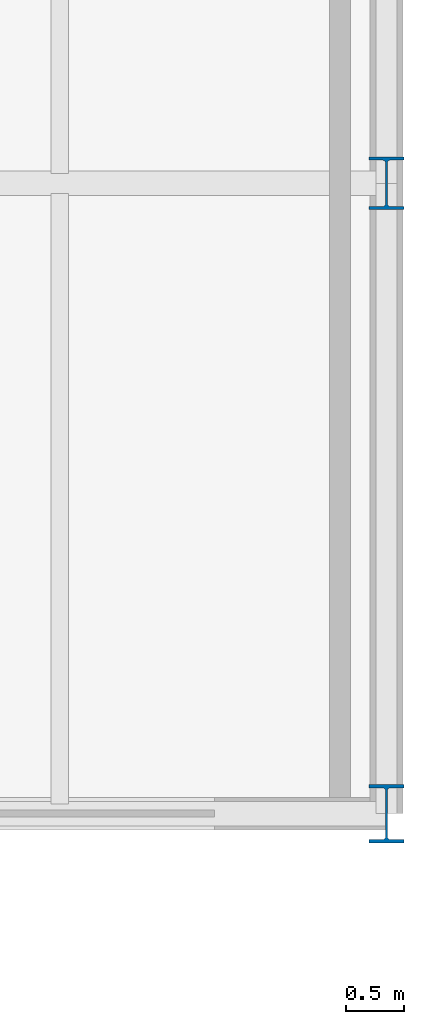
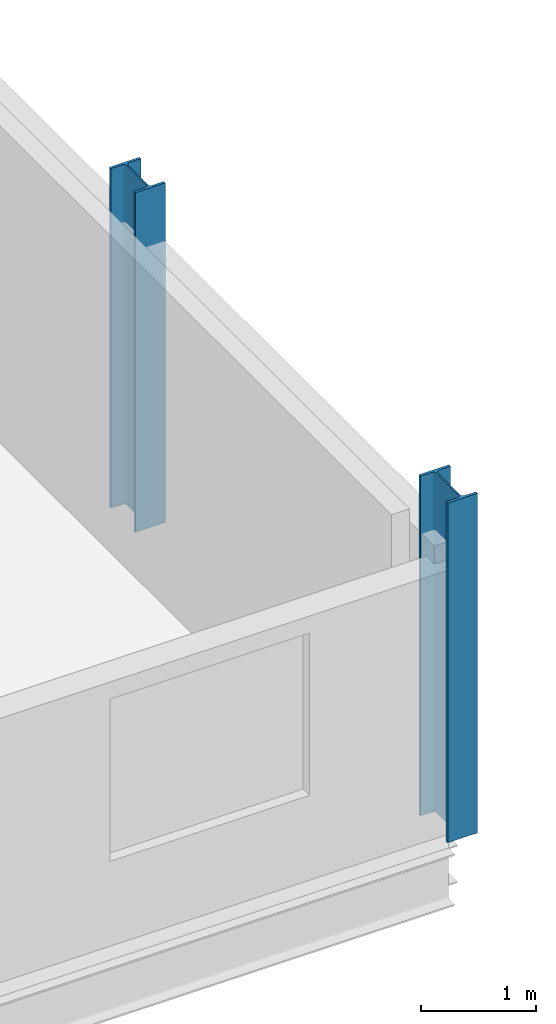
# One storey, part 5 of 36: 2 columns.
"""IFC4 building model written with IfcOpenShell, lengths in metres."""

from ifc_helpers import new_model, si_unit, direction, frame, origin, origin_2d, place, context, subcontext, project, spatial, i_section, extrude, material, material_profile, profile_set, type_object, element, save


model = new_model("IFC4")

# Units and contexts
model_context = context("Model", 3, precision=1e-05, world=origin(), true_north=direction((0.0, 1.0)))
body_context = subcontext(model_context, "Body", "Model", "MODEL_VIEW")
ifc_project = project(units=[si_unit("LENGTHUNIT", "METRE"), si_unit("AREAUNIT", "SQUARE_METRE"), si_unit("VOLUMEUNIT", "CUBIC_METRE"), si_unit("PLANEANGLEUNIT", "RADIAN"), si_unit("MASSUNIT", "GRAM", prefix="KILO")], contexts=[model_context])

# Site, building, storey
site_placement = place(None, origin())
site = spatial("IfcSite", under=ifc_project, at=site_placement, CompositionType="ELEMENT")
building_placement = place(site_placement, origin())
building = spatial("IfcBuilding", under=site, at=building_placement, Name="Sefraquen Railside Congress Hotel", CompositionType="ELEMENT")
storey_placement = place(building_placement, frame((0.0, 0.0, 28.199951171875)))
storey = spatial("IfcBuildingStorey", under=building, at=storey_placement, Name="L06", CompositionType="ELEMENT", Elevation=28.199951171875)

# Columns
ifc_material = material(Name="Steel S355JR", Category="steel")
ifc_material_profile_1 = material_profile(ifc_material, i_section(OverallWidth=0.300048828125, OverallDepth=0.449951171875, WebThickness=0.013916015625, FlangeThickness=0.02587890625, FilletRadius=0.027099609375, at=origin_2d()), Name="HEB 450")
ifc_profile_set_1 = profile_set([ifc_material_profile_1], Name="Steel S355JR")
column_type_1 = type_object("IfcColumnType", Name="TC-HEB-450", PredefinedType="COLUMN", material=ifc_profile_set_1)
column_1_placement = place(storey_placement, frame((120.0, 101.39990234375, 0.0), z_axis=(0.0, 0.0, 1.0), x_axis=(1.0, 0.0, 0.0)))
element("IfcColumn", 1, at=column_1_placement, inside=storey, type_object=column_type_1, Name="Structural column 16-N L06", PredefinedType="COLUMN", context=body_context, shape_type="SweptSolid", body=[
    extrude(i_section(OverallWidth=0.300048828125, OverallDepth=0.449951171875, WebThickness=0.013916015625, FlangeThickness=0.02587890625, FilletRadius=0.027099609375, at=origin_2d()), origin(), (0.0, 0.0, 1.0), 3.60009765625),
])
ifc_material_profile_2 = material_profile(ifc_material, i_section(OverallWidth=0.300048828125, OverallDepth=0.5, WebThickness=0.014404296875, FlangeThickness=0.028076171875, FilletRadius=0.027099609375, at=origin_2d()), Name="HEB 500")
ifc_profile_set_2 = profile_set([ifc_material_profile_2], Name="Steel S355JR")
column_type_2 = type_object("IfcColumnType", Name="TC-HEB-500", PredefinedType="COLUMN", material=ifc_profile_set_2)
column_2_placement = place(storey_placement, frame((120.0, 96.0, 0.0), z_axis=(0.0, 0.0, 1.0), x_axis=(1.0, 0.0, 0.0)))
element("IfcColumn", 2, at=column_2_placement, inside=storey, type_object=column_type_2, Name="Structural column 16-M L06", PredefinedType="COLUMN", context=body_context, shape_type="SweptSolid", body=[
    extrude(i_section(OverallWidth=0.300048828125, OverallDepth=0.5, WebThickness=0.014404296875, FlangeThickness=0.028076171875, FilletRadius=0.027099609375, at=origin_2d()), origin(), (0.0, 0.0, 1.0), 3.60009765625),
])

save(model, "model.ifc")
